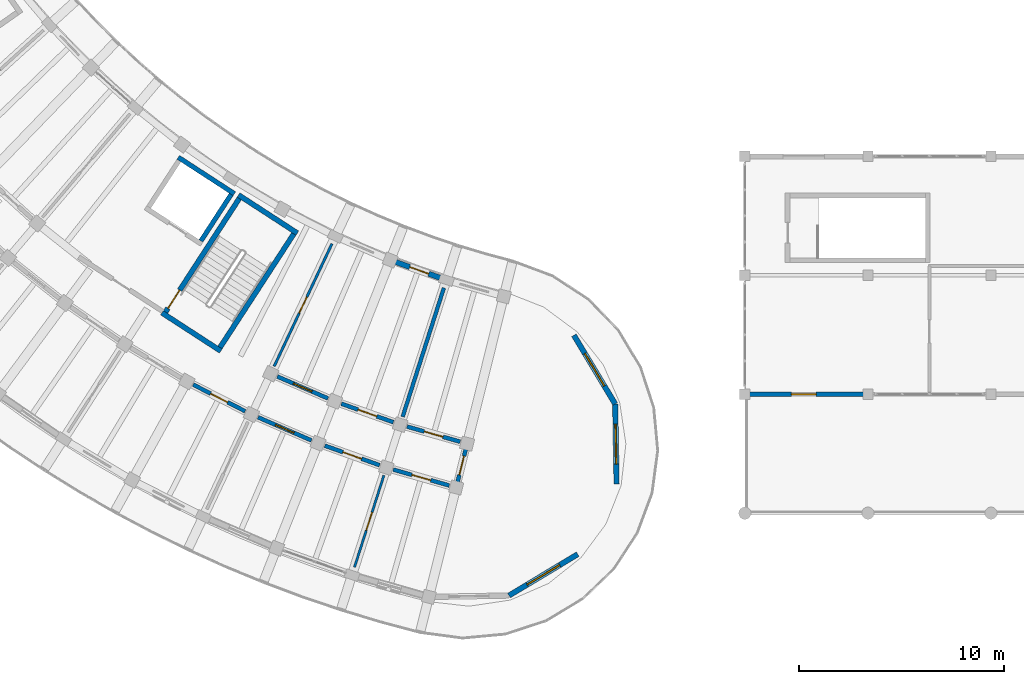
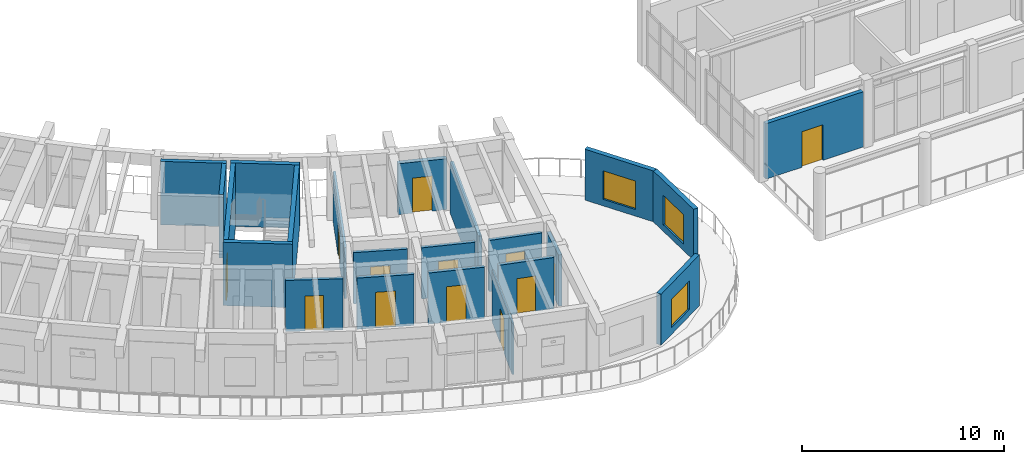
# One storey, part 82 of 128: 22 walls, 13 doors, 3 windows, 16 openings.
"""IFC4 building model written with IfcOpenShell, lengths in metres."""

from ifc_helpers import new_model, si_unit, direction, frame, frame_2d, origin, place, context, subcontext, project, spatial, rectangle, extrude, material, layer, layer_set, type_object, element, fill, save


model = new_model("IFC4")

# Units and contexts
model_context = context("Model", 3, precision=1e-05, world=origin(), true_north=direction((0.0, 1.0)))
body_context = subcontext(model_context, "Body", "Model", "MODEL_VIEW")
ifc_project = project(units=[si_unit("LENGTHUNIT", "METRE"), si_unit("AREAUNIT", "SQUARE_METRE"), si_unit("VOLUMEUNIT", "CUBIC_METRE"), si_unit("PLANEANGLEUNIT", "RADIAN"), si_unit("MASSUNIT", "GRAM", prefix="KILO")], contexts=[model_context])

# Site, building, storey
site_placement = place(None, origin())
site = spatial("IfcSite", under=ifc_project, at=site_placement, CompositionType="ELEMENT")
building_placement = place(site_placement, origin())
building = spatial("IfcBuilding", under=site, at=building_placement, Name="Tanwirah Colonnade Gardens", CompositionType="ELEMENT")
storey_placement = place(building_placement, frame((0.0, 0.0, 4.760009765625)))
storey = spatial("IfcBuildingStorey", under=building, at=storey_placement, Name="L01", CompositionType="ELEMENT", Elevation=4.760009765625)

# Wall, opening, door
ifc_material_1 = material(Name="Limestone architectural precast concrete C40/50", Category="masonry")
ifc_layer_1 = layer(ifc_material_1, 0.239990234375)
ifc_layer_set_1 = layer_set([ifc_layer_1], Name="Limestone architectural precast concrete C40/50")
wall_type_1 = type_object("IfcWallType", Name="EW-PC240", PredefinedType="SOLIDWALL", material=ifc_layer_set_1)
wall_1_placement = place(storey_placement, frame((66.219970703125, 16.60009765625, 0.0), z_axis=(0.0, 0.0, 1.0), x_axis=(1.0, 0.0, 0.0)))
wall_1 = element("IfcWall", 1, at=wall_1_placement, inside=storey, type_object=wall_type_1, Name="Boulevard Shops W L01 S Wall 0", PredefinedType="SOLIDWALL", context=body_context, shape_type="SweptSolid", body=[
    extrude(rectangle(XDim=5.56005859375, YDim=0.239990234375, at=frame_2d((2.780029296875, 0.0))), origin(), (0.0, 0.0, 1.0), 3.340087890625),
])
opening_1_placement = place(wall_1_placement, frame((2.050048828125, 0.0, 0.0)))
opening_1 = element("IfcOpeningElement", 2, at=opening_1_placement, cuts=wall_1, Name="Opening L01-ED226", PredefinedType="OPENING", context=body_context, shape_type="SweptSolid", body=[
    extrude(rectangle(XDim=1.199951171875, YDim=2.14990234375, at=frame_2d((0.60009765625, 1.074951171875))), frame((0.0, 0.1298828125, 0.0), z_axis=(0.0, -1.0, 0.0), x_axis=(1.0, 0.0, 0.0)), (0.0, 0.0, 1.0), 0.260009765625),
])
ifc_material_2 = material(Name="Bronze aluminium glazed terrace door", Category="aluminium")
door_type_1 = type_object("IfcDoorType", Name="ED-TER120", OperationType="NOTDEFINED", PredefinedType="DOOR", material=ifc_material_2)
door_1_placement = place(opening_1_placement, origin())
door_1 = element("IfcDoor", 3, at=door_1_placement, inside=storey, type_object=door_type_1, Name="Boulevard Shop Terrace Door L01-ED226", OperationType="SINGLE_SWING_LEFT", OverallHeight=2.14990234375, OverallWidth=1.199951171875, PredefinedType="DOOR", context=body_context, shape_type="SweptSolid", body=[
    extrude(rectangle(XDim=1.199951171875, YDim=2.14990234375, at=frame_2d((0.60009765625, 1.074951171875))), frame((0.0, 0.02490234375, 0.0), z_axis=(0.0, -1.0, 0.0), x_axis=(1.0, 0.0, 0.0)), (0.0, 0.0, 1.0), 0.050048828125),
])
fill(opening_1, door_1)

ifc_layer_2 = layer(ifc_material_1, 0.260009765625)
ifc_layer_set_2 = layer_set([ifc_layer_2], Name="Limestone architectural precast concrete C40/50")
wall_type_2 = type_object("IfcWallType", Name="EW-PC260", PredefinedType="SOLIDWALL", material=ifc_layer_set_2)
wall_2_placement = place(storey_placement, frame((48.968017578125, 23.050537109375, 0.0), z_axis=(0.0, 0.0, 1.0), x_axis=(0.941897456242, -0.335900553623, 0.0)))
wall_2 = element("IfcWall", 4, at=wall_2_placement, inside=storey, type_object=wall_type_2, Name="Block C L01 IN Precast Facade Wall 14", PredefinedType="SOLIDWALL", context=body_context, shape_type="SweptSolid", body=[
    extrude(rectangle(XDim=2.44873046875, YDim=0.260009765625, at=frame_2d((1.224365234375, 0.0))), origin(), (0.0, 0.0, 1.0), 3.074951171875),
])
opening_2_placement = place(wall_2_placement, frame((0.734375, 0.0, 0.0)))
opening_2 = element("IfcOpeningElement", 5, at=opening_2_placement, cuts=wall_2, Name="Opening L01-ED131", PredefinedType="OPENING", context=body_context, shape_type="SweptSolid", body=[
    extrude(rectangle(XDim=0.97998046875, YDim=2.1201171875, at=frame_2d((0.489990234375, 1.06005859375))), frame((0.0, 0.139892578125, 0.0), z_axis=(0.0, -1.0, 0.0), x_axis=(1.0, 0.0, 0.0)), (0.0, 0.0, 1.0), 0.280029296875),
])
ifc_material_3 = material(Name="Bronze aluminium glazed balcony door", Category="aluminium")
door_type_2 = type_object("IfcDoorType", Name="ED-BAL098", OperationType="NOTDEFINED", PredefinedType="DOOR", material=ifc_material_3)
door_2_placement = place(opening_2_placement, origin())
door_2 = element("IfcDoor", 6, at=door_2_placement, inside=storey, type_object=door_type_2, Name="Balcony glazed door L01-ED131", OperationType="SINGLE_SWING_RIGHT", OverallHeight=2.1201171875, OverallWidth=0.97998046875, PredefinedType="DOOR", context=body_context, shape_type="SweptSolid", body=[
    extrude(rectangle(XDim=0.97998046875, YDim=2.1201171875, at=frame_2d((0.489990234375, 1.06005859375))), frame((0.0, 0.02490234375, 0.0), z_axis=(0.0, -1.0, 0.0), x_axis=(1.0, 0.0, 0.0)), (0.0, 0.0, 1.0), 0.050048828125),
])
fill(opening_2, door_2)

# Wall, opening, window
wall_3_placement = place(storey_placement, frame((57.664794921875, 19.4755859375, 0.0), z_axis=(0.0, 0.0, 1.0), x_axis=(0.515019321998, -0.857178568309, 0.0)))
wall_3 = element("IfcWall", 7, at=wall_3_placement, inside=storey, type_object=wall_type_2, Name="Block C L01 END Rounded End Wall 1", PredefinedType="SOLIDWALL", context=body_context, shape_type="SweptSolid", body=[
    extrude(rectangle(XDim=3.907958984375, YDim=0.260009765625, at=frame_2d((1.9541015625, 0.0))), origin(), (0.0, 0.0, 1.0), 3.074951171875),
])
opening_3_placement = place(wall_3_placement, frame((1.029052734375, 0.0, 0.39990234375)))
opening_3 = element("IfcOpeningElement", 8, at=opening_3_placement, cuts=wall_3, Name="Opening WIN-END1", PredefinedType="OPENING", context=body_context, shape_type="SweptSolid", body=[
    extrude(rectangle(XDim=1.85009765625, YDim=1.719970703125, at=frame_2d((0.925048828125, 0.85986328125))), frame((0.0, 0.139892578125, 0.0), z_axis=(0.0, -1.0, 0.0), x_axis=(1.0, 0.0, 0.0)), (0.0, 0.0, 1.0), 0.280029296875),
])
ifc_material_4 = material(Name="Thermally broken bronze aluminium and solar low-E double glazing", Category="aluminium")
window_type_1 = type_object("IfcWindowType", Name="WIN-END1", PartitioningType="TRIPLE_PANEL_VERTICAL", PredefinedType="WINDOW", material=ifc_material_4)
window_1_placement = place(opening_3_placement, origin())
window_1 = element("IfcWindow", 9, at=window_1_placement, inside=storey, type_object=window_type_1, Name="Rounded corner window C-L01-END-1", OverallHeight=1.719970703125, OverallWidth=1.85009765625, PartitioningType="SINGLE_PANEL", PredefinedType="WINDOW", context=body_context, shape_type="SweptSolid", body=[
    extrude(rectangle(XDim=1.85009765625, YDim=1.719970703125, at=frame_2d((0.925048828125, 0.85986328125))), frame((0.0, 0.030029296875, 0.0), z_axis=(0.0, -1.0, 0.0), x_axis=(1.0, 0.0, 0.0)), (0.0, 0.0, 1.0), 0.06005859375),
])
fill(opening_3, window_1)

wall_4_placement = place(storey_placement, frame((59.677490234375, 16.125732421875, 0.0), z_axis=(0.0, 0.0, 1.0), x_axis=(0.017490763899, -0.999847024888, 0.0)))
wall_4 = element("IfcWall", 10, at=wall_4_placement, inside=storey, type_object=wall_type_2, Name="Block C L01 END Rounded End Wall 2", PredefinedType="SOLIDWALL", context=body_context, shape_type="SweptSolid", body=[
    extrude(rectangle(XDim=3.908203125, YDim=0.260009765625, at=frame_2d((1.9541015625, 0.0))), origin(), (0.0, 0.0, 1.0), 3.074951171875),
])
opening_4_placement = place(wall_4_placement, frame((0.97900390625, 0.0, 0.39990234375)))
opening_4 = element("IfcOpeningElement", 11, at=opening_4_placement, cuts=wall_4, Name="Opening WIN-END2", PredefinedType="OPENING", context=body_context, shape_type="SweptSolid", body=[
    extrude(rectangle(XDim=1.949951171875, YDim=1.780029296875, at=frame_2d((0.97509765625, 0.89013671875))), frame((0.0, 0.139892578125, 0.0), z_axis=(0.0, -1.0, 0.0), x_axis=(1.0, 0.0, 0.0)), (0.0, 0.0, 1.0), 0.280029296875),
])
window_type_2 = type_object("IfcWindowType", Name="WIN-END2", PartitioningType="TRIPLE_PANEL_VERTICAL", PredefinedType="WINDOW", material=ifc_material_4)
window_2_placement = place(opening_4_placement, origin())
window_2 = element("IfcWindow", 12, at=window_2_placement, inside=storey, type_object=window_type_2, Name="Rounded corner window C-L01-END-2", OverallHeight=1.780029296875, OverallWidth=1.949951171875, PartitioningType="SINGLE_PANEL", PredefinedType="WINDOW", context=body_context, shape_type="SweptSolid", body=[
    extrude(rectangle(XDim=1.949951171875, YDim=1.780029296875, at=frame_2d((0.97509765625, 0.89013671875))), frame((0.0, 0.030029296875, 0.0), z_axis=(0.0, -1.0, 0.0), x_axis=(1.0, 0.0, 0.0)), (0.0, 0.0, 1.0), 0.06005859375),
])
fill(opening_4, window_2)

wall_5_placement = place(storey_placement, frame((57.85107421875, 8.800048828125, 0.0), z_axis=(0.0, 0.0, 1.0), x_axis=(-0.85715098885, -0.515065221417, 0.0)))
wall_5 = element("IfcWall", 13, at=wall_5_placement, inside=storey, type_object=wall_type_2, Name="Block C L01 END Rounded End Wall 4", PredefinedType="SOLIDWALL", context=body_context, shape_type="SweptSolid", body=[
    extrude(rectangle(XDim=3.908203125, YDim=0.260009765625, at=frame_2d((1.9541015625, 0.0))), origin(), (0.0, 0.0, 1.0), 3.074951171875),
])
opening_5_placement = place(wall_5_placement, frame((1.029052734375, 0.0, 0.39990234375)))
opening_5 = element("IfcOpeningElement", 14, at=opening_5_placement, cuts=wall_5, Name="Opening WIN-END1", PredefinedType="OPENING", context=body_context, shape_type="SweptSolid", body=[
    extrude(rectangle(XDim=1.85009765625, YDim=1.719970703125, at=frame_2d((0.925048828125, 0.85986328125))), frame((0.0, 0.139892578125, 0.0), z_axis=(0.0, -1.0, 0.0), x_axis=(1.0, 0.0, 0.0)), (0.0, 0.0, 1.0), 0.280029296875),
])
window_3_placement = place(opening_5_placement, origin())
window_3 = element("IfcWindow", 15, at=window_3_placement, inside=storey, type_object=window_type_1, Name="Rounded corner window C-L01-END-4", OverallHeight=1.719970703125, OverallWidth=1.85009765625, PartitioningType="SINGLE_PANEL", PredefinedType="WINDOW", context=body_context, shape_type="SweptSolid", body=[
    extrude(rectangle(XDim=1.85009765625, YDim=1.719970703125, at=frame_2d((0.925048828125, 0.85986328125))), frame((0.0, 0.030029296875, 0.0), z_axis=(0.0, -1.0, 0.0), x_axis=(1.0, 0.0, 0.0)), (0.0, 0.0, 1.0), 0.06005859375),
])
fill(opening_5, window_3)

# Wall, opening, door
ifc_material_5 = material(Name="Precast concrete C40/50", Category="concrete")
ifc_layer_3 = layer(ifc_material_5, 0.195068359375)
ifc_layer_set_3 = layer_set([ifc_layer_3], Name="Precast concrete C40/50")
wall_type_3 = type_object("IfcWallType", Name="IW-CORR195", PredefinedType="PARTITIONING", material=ifc_layer_set_3)
wall_6_placement = place(storey_placement, frame((39.107421875, 17.067138671875, 0.0), z_axis=(0.0, 0.0, 1.0), x_axis=(0.890030590607, -0.45590080915, 0.0)))
wall_6 = element("IfcWall", 16, at=wall_6_placement, inside=storey, type_object=wall_type_3, Name="Block C L01 OUT Corridor Wall 12", PredefinedType="PARTITIONING", context=body_context, shape_type="SweptSolid", body=[
    extrude(rectangle(XDim=2.837158203125, YDim=0.195068359375, at=frame_2d((1.41845703125, 0.0))), origin(), (0.0, 0.0, 1.0), 3.090087890625),
])
opening_6_placement = place(wall_6_placement, frame((0.95361328125, 0.0, 0.0)))
opening_6 = element("IfcOpeningElement", 17, at=opening_6_placement, cuts=wall_6, Name="Opening L01-AD1341", PredefinedType="OPENING", context=body_context, shape_type="SweptSolid", body=[
    extrude(rectangle(XDim=0.929931640625, YDim=2.1201171875, at=frame_2d((0.46484375, 1.06005859375))), frame((0.0, 0.107421875, 0.0), z_axis=(0.0, -1.0, 0.0), x_axis=(1.0, 0.0, 0.0)), (0.0, 0.0, 1.0), 0.215087890625),
])
ifc_material_6 = material(Name="Solid oak fire-resisting apartment entrance door")
door_type_3 = type_object("IfcDoorType", Name="ID-FLT093", OperationType="NOTDEFINED", PredefinedType="DOOR", material=ifc_material_6)
door_3_placement = place(opening_6_placement, origin())
door_3 = element("IfcDoor", 18, at=door_3_placement, inside=storey, type_object=door_type_3, Name="Apartment corridor door L01-AD1341", OperationType="SINGLE_SWING_RIGHT", OverallHeight=2.1201171875, OverallWidth=0.929931640625, PredefinedType="DOOR", context=body_context, shape_type="SweptSolid", body=[
    extrude(rectangle(XDim=0.929931640625, YDim=2.1201171875, at=frame_2d((0.46484375, 1.06005859375))), frame((0.0, 0.02490234375, 0.0), z_axis=(0.0, -1.0, 0.0), x_axis=(1.0, 0.0, 0.0)), (0.0, 0.0, 1.0), 0.050048828125),
])
fill(opening_6, door_3)

wall_7_placement = place(storey_placement, frame((42.26513671875, 15.475341796875, 0.0), z_axis=(0.0, 0.0, 1.0), x_axis=(0.917943439406, -0.396711282991, 0.0)))
wall_7 = element("IfcWall", 19, at=wall_7_placement, inside=storey, type_object=wall_type_3, Name="Block C L01 OUT Corridor Wall 13", PredefinedType="PARTITIONING", context=body_context, shape_type="SweptSolid", body=[
    extrude(rectangle(XDim=2.837158203125, YDim=0.195068359375, at=frame_2d((1.41845703125, 0.0))), origin(), (0.0, 0.0, 1.0), 3.090087890625),
])
opening_7_placement = place(wall_7_placement, frame((0.923583984375, 0.0, 0.0)))
opening_7 = element("IfcOpeningElement", 20, at=opening_7_placement, cuts=wall_7, Name="Opening L01-AD1344", PredefinedType="OPENING", context=body_context, shape_type="SweptSolid", body=[
    extrude(rectangle(XDim=0.989990234375, YDim=2.159912109375, at=frame_2d((0.4951171875, 1.080078125))), frame((0.0, 0.107421875, 0.0), z_axis=(0.0, -1.0, 0.0), x_axis=(1.0, 0.0, 0.0)), (0.0, 0.0, 1.0), 0.215087890625),
])
door_type_4 = type_object("IfcDoorType", Name="ID-FLT099", OperationType="NOTDEFINED", PredefinedType="DOOR", material=ifc_material_6)
door_4_placement = place(opening_7_placement, origin())
door_4 = element("IfcDoor", 21, at=door_4_placement, inside=storey, type_object=door_type_4, Name="Apartment corridor door L01-AD1344", OperationType="SINGLE_SWING_LEFT", OverallHeight=2.159912109375, OverallWidth=0.989990234375, PredefinedType="DOOR", context=body_context, shape_type="SweptSolid", body=[
    extrude(rectangle(XDim=0.989990234375, YDim=2.159912109375, at=frame_2d((0.4951171875, 1.080078125))), frame((0.0, 0.02490234375, 0.0), z_axis=(0.0, -1.0, 0.0), x_axis=(1.0, 0.0, 0.0)), (0.0, 0.0, 1.0), 0.050048828125),
])
fill(opening_7, door_4)

wall_8_placement = place(storey_placement, frame((43.20361328125, 17.465087890625, 0.0), z_axis=(0.0, 0.0, 1.0), x_axis=(0.91793557165, -0.39672948756, 0.0)))
wall_8 = element("IfcWall", 22, at=wall_8_placement, inside=storey, type_object=wall_type_3, Name="Block C L01 IN Corridor Wall 13", PredefinedType="PARTITIONING", context=body_context, shape_type="SweptSolid", body=[
    extrude(rectangle(XDim=2.69287109375, YDim=0.195068359375, at=frame_2d((1.346435546875, 0.0))), origin(), (0.0, 0.0, 1.0), 3.090087890625),
])
opening_8_placement = place(wall_8_placement, frame((0.8515625, 0.0, 0.0)))
opening_8 = element("IfcOpeningElement", 23, at=opening_8_placement, cuts=wall_8, Name="Opening L01-AD1345", PredefinedType="OPENING", context=body_context, shape_type="SweptSolid", body=[
    extrude(rectangle(XDim=0.989990234375, YDim=2.159912109375, at=frame_2d((0.4951171875, 1.080078125))), frame((0.0, 0.107421875, 0.0), z_axis=(0.0, -1.0, 0.0), x_axis=(1.0, 0.0, 0.0)), (0.0, 0.0, 1.0), 0.215087890625),
])
door_5_placement = place(opening_8_placement, origin())
door_5 = element("IfcDoor", 24, at=door_5_placement, inside=storey, type_object=door_type_4, Name="Apartment corridor door L01-AD1345", OperationType="SINGLE_SWING_RIGHT", OverallHeight=2.159912109375, OverallWidth=0.989990234375, PredefinedType="DOOR", context=body_context, shape_type="SweptSolid", body=[
    extrude(rectangle(XDim=0.989990234375, YDim=2.159912109375, at=frame_2d((0.4951171875, 1.080078125))), frame((0.0, 0.02490234375, 0.0), z_axis=(0.0, -1.0, 0.0), x_axis=(1.0, 0.0, 0.0)), (0.0, 0.0, 1.0), 0.050048828125),
])
fill(opening_8, door_5)

wall_9_placement = place(storey_placement, frame((45.520263671875, 14.09326171875, 0.0), z_axis=(0.0, 0.0, 1.0), x_axis=(0.941930628611, -0.335807520589, 0.0)))
wall_9 = element("IfcWall", 25, at=wall_9_placement, inside=storey, type_object=wall_type_3, Name="Block C L01 OUT Corridor Wall 14", PredefinedType="PARTITIONING", context=body_context, shape_type="SweptSolid", body=[
    extrude(rectangle(XDim=2.8369140625, YDim=0.195068359375, at=frame_2d((1.41845703125, 0.0))), origin(), (0.0, 0.0, 1.0), 3.090087890625),
])
opening_9_placement = place(wall_9_placement, frame((0.93359375, 0.0, 0.0)))
opening_9 = element("IfcOpeningElement", 26, at=opening_9_placement, cuts=wall_9, Name="Opening L01-AD1346", PredefinedType="OPENING", context=body_context, shape_type="SweptSolid", body=[
    extrude(rectangle(XDim=0.969970703125, YDim=2.14990234375, at=frame_2d((0.48486328125, 1.074951171875))), frame((0.0, 0.107421875, 0.0), z_axis=(0.0, -1.0, 0.0), x_axis=(1.0, 0.0, 0.0)), (0.0, 0.0, 1.0), 0.215087890625),
])
door_type_5 = type_object("IfcDoorType", Name="ID-FLT097", OperationType="NOTDEFINED", PredefinedType="DOOR", material=ifc_material_6)
door_6_placement = place(opening_9_placement, origin())
door_6 = element("IfcDoor", 27, at=door_6_placement, inside=storey, type_object=door_type_5, Name="Apartment corridor door L01-AD1346", OperationType="SINGLE_SWING_RIGHT", OverallHeight=2.14990234375, OverallWidth=0.969970703125, PredefinedType="DOOR", context=body_context, shape_type="SweptSolid", body=[
    extrude(rectangle(XDim=0.969970703125, YDim=2.14990234375, at=frame_2d((0.48486328125, 1.074951171875))), frame((0.0, 0.02490234375, 0.0), z_axis=(0.0, -1.0, 0.0), x_axis=(1.0, 0.0, 0.0)), (0.0, 0.0, 1.0), 0.050048828125),
])
fill(opening_9, door_6)

wall_10_placement = place(storey_placement, frame((46.32666015625, 16.140380859375, 0.0), z_axis=(0.0, 0.0, 1.0), x_axis=(0.941895652647, -0.335905611036, 0.0)))
wall_10 = element("IfcWall", 28, at=wall_10_placement, inside=storey, type_object=wall_type_3, Name="Block C L01 IN Corridor Wall 14", PredefinedType="PARTITIONING", context=body_context, shape_type="SweptSolid", body=[
    extrude(rectangle(XDim=2.69287109375, YDim=0.195068359375, at=frame_2d((1.346435546875, 0.0))), origin(), (0.0, 0.0, 1.0), 3.090087890625),
])
opening_10_placement = place(wall_10_placement, frame((0.861572265625, 0.0, 0.0)))
opening_10 = element("IfcOpeningElement", 29, at=opening_10_placement, cuts=wall_10, Name="Opening L01-AD1347", PredefinedType="OPENING", context=body_context, shape_type="SweptSolid", body=[
    extrude(rectangle(XDim=0.969970703125, YDim=2.14990234375, at=frame_2d((0.48486328125, 1.074951171875))), frame((0.0, 0.107421875, 0.0), z_axis=(0.0, -1.0, 0.0), x_axis=(1.0, 0.0, 0.0)), (0.0, 0.0, 1.0), 0.215087890625),
])
door_7_placement = place(opening_10_placement, origin())
door_7 = element("IfcDoor", 30, at=door_7_placement, inside=storey, type_object=door_type_5, Name="Apartment corridor door L01-AD1347", OperationType="SINGLE_SWING_LEFT", OverallHeight=2.14990234375, OverallWidth=0.969970703125, PredefinedType="DOOR", context=body_context, shape_type="SweptSolid", body=[
    extrude(rectangle(XDim=0.969970703125, YDim=2.14990234375, at=frame_2d((0.48486328125, 1.074951171875))), frame((0.0, 0.02490234375, 0.0), z_axis=(0.0, -1.0, 0.0), x_axis=(1.0, 0.0, 0.0)), (0.0, 0.0, 1.0), 0.050048828125),
])
fill(opening_10, door_7)

wall_11_placement = place(storey_placement, frame((48.858642578125, 12.92724609375, 0.0), z_axis=(0.0, 0.0, 1.0), x_axis=(0.961873892319, -0.273493355085, 0.0)))
wall_11 = element("IfcWall", 31, at=wall_11_placement, inside=storey, type_object=wall_type_3, Name="Block C L01 OUT Corridor Wall 15", PredefinedType="PARTITIONING", context=body_context, shape_type="SweptSolid", body=[
    extrude(rectangle(XDim=2.8369140625, YDim=0.195068359375, at=frame_2d((1.41845703125, 0.0))), origin(), (0.0, 0.0, 1.0), 3.090087890625),
])
opening_11_placement = place(wall_11_placement, frame((0.943603515625, 0.0, 0.0)))
opening_11 = element("IfcOpeningElement", 32, at=opening_11_placement, cuts=wall_11, Name="Opening L01-AD1349", PredefinedType="OPENING", context=body_context, shape_type="SweptSolid", body=[
    extrude(rectangle(XDim=0.949951171875, YDim=2.1298828125, at=frame_2d((0.47509765625, 1.06494140625))), frame((0.0, 0.107421875, 0.0), z_axis=(0.0, -1.0, 0.0), x_axis=(1.0, 0.0, 0.0)), (0.0, 0.0, 1.0), 0.215087890625),
])
door_type_6 = type_object("IfcDoorType", Name="ID-FLT095", OperationType="NOTDEFINED", PredefinedType="DOOR", material=ifc_material_6)
door_8_placement = place(opening_11_placement, origin())
door_8 = element("IfcDoor", 33, at=door_8_placement, inside=storey, type_object=door_type_6, Name="Apartment corridor door L01-AD1349", OperationType="SINGLE_SWING_LEFT", OverallHeight=2.1298828125, OverallWidth=0.949951171875, PredefinedType="DOOR", context=body_context, shape_type="SweptSolid", body=[
    extrude(rectangle(XDim=0.949951171875, YDim=2.1298828125, at=frame_2d((0.47509765625, 1.06494140625))), frame((0.0, 0.02490234375, 0.0), z_axis=(0.0, -1.0, 0.0), x_axis=(1.0, 0.0, 0.0)), (0.0, 0.0, 1.0), 0.050048828125),
])
fill(opening_11, door_8)

wall_12_placement = place(storey_placement, frame((49.529541015625, 15.0224609375, 0.0), z_axis=(0.0, 0.0, 1.0), x_axis=(0.961861926514, -0.273535435224, 0.0)))
wall_12 = element("IfcWall", 34, at=wall_12_placement, inside=storey, type_object=wall_type_3, Name="Block C L01 IN Corridor Wall 15", PredefinedType="PARTITIONING", context=body_context, shape_type="SweptSolid", body=[
    extrude(rectangle(XDim=2.69287109375, YDim=0.195068359375, at=frame_2d((1.346435546875, 0.0))), origin(), (0.0, 0.0, 1.0), 3.090087890625),
])
opening_12_placement = place(wall_12_placement, frame((0.87158203125, 0.0, 0.0)))
opening_12 = element("IfcOpeningElement", 35, at=opening_12_placement, cuts=wall_12, Name="Opening L01-AD1350", PredefinedType="OPENING", context=body_context, shape_type="SweptSolid", body=[
    extrude(rectangle(XDim=0.949951171875, YDim=2.1298828125, at=frame_2d((0.47509765625, 1.06494140625))), frame((0.0, 0.107421875, 0.0), z_axis=(0.0, -1.0, 0.0), x_axis=(1.0, 0.0, 0.0)), (0.0, 0.0, 1.0), 0.215087890625),
])
door_9_placement = place(opening_12_placement, origin())
door_9 = element("IfcDoor", 36, at=door_9_placement, inside=storey, type_object=door_type_6, Name="Apartment corridor door L01-AD1350", OperationType="SINGLE_SWING_RIGHT", OverallHeight=2.1298828125, OverallWidth=0.949951171875, PredefinedType="DOOR", context=body_context, shape_type="SweptSolid", body=[
    extrude(rectangle(XDim=0.949951171875, YDim=2.1298828125, at=frame_2d((0.47509765625, 1.06494140625))), frame((0.0, 0.02490234375, 0.0), z_axis=(0.0, -1.0, 0.0), x_axis=(1.0, 0.0, 0.0)), (0.0, 0.0, 1.0), 0.050048828125),
])
fill(opening_12, door_9)

wall_13_placement = place(storey_placement, frame((52.4443359375, 14.1416015625, 0.0), z_axis=(0.0, 0.0, 1.0), x_axis=(-0.241933770084, -0.970292765557, 0.0)))
wall_13 = element("IfcWall", 37, at=wall_13_placement, inside=storey, type_object=wall_type_3, Name="Block C L01 CE Corner Suite Corridor Wall", PredefinedType="PARTITIONING", context=body_context, shape_type="SweptSolid", body=[
    extrude(rectangle(XDim=2.10009765625, YDim=0.195068359375, at=frame_2d((1.050048828125, 0.0))), origin(), (0.0, 0.0, 1.0), 3.090087890625),
])
opening_13_placement = place(wall_13_placement, frame((0.570068359375, 0.0, 0.0)))
opening_13 = element("IfcOpeningElement", 38, at=opening_13_placement, cuts=wall_13, Name="Opening L01-CD1352", PredefinedType="OPENING", context=body_context, shape_type="SweptSolid", body=[
    extrude(rectangle(XDim=0.949951171875, YDim=2.1298828125, at=frame_2d((0.47509765625, 1.06494140625))), frame((0.0, 0.107421875, 0.0), z_axis=(0.0, -1.0, 0.0), x_axis=(1.0, 0.0, 0.0)), (0.0, 0.0, 1.0), 0.215087890625),
])
door_10_placement = place(opening_13_placement, origin())
door_10 = element("IfcDoor", 39, at=door_10_placement, inside=storey, type_object=door_type_6, Name="Corner suite entrance door L01-CD1352", OperationType="SINGLE_SWING_RIGHT", OverallHeight=2.1298828125, OverallWidth=0.949951171875, PredefinedType="DOOR", context=body_context, shape_type="SweptSolid", body=[
    extrude(rectangle(XDim=0.949951171875, YDim=2.1298828125, at=frame_2d((0.47509765625, 1.06494140625))), frame((0.0, 0.02490234375, 0.0), z_axis=(0.0, -1.0, 0.0), x_axis=(1.0, 0.0, 0.0)), (0.0, 0.0, 1.0), 0.050048828125),
])
fill(opening_13, door_10)

# Wall
ifc_layer_4 = layer(ifc_material_5, 0.18505859375)
ifc_layer_set_4 = layer_set([ifc_layer_4], Name="Precast concrete C40/50")
wall_type_4 = type_object("IfcWallType", Name="IW-DEM185", PredefinedType="PARTITIONING", material=ifc_layer_set_4)
wall_14_placement = place(storey_placement, frame((51.326904296875, 21.78515625, 0.0), z_axis=(0.0, 0.0, 1.0), x_axis=(-0.304875046605, -0.95239235925, 0.0)))
element("IfcWall", 40, at=wall_14_placement, inside=storey, type_object=wall_type_4, Name="Block C L01 Inner Radial Partition 14", PredefinedType="PARTITIONING", context=body_context, shape_type="SweptSolid", body=[
    extrude(rectangle(XDim=6.60009765625, YDim=0.18505859375, at=frame_2d((3.300048828125, 0.0))), origin(), (0.0, 0.0, 1.0), 3.090087890625),
])

# Wall, opening, door
ifc_material_7 = material(Name="Acoustic gypsum stud partition")
ifc_layer_5 = layer(ifc_material_7, 0.114990234375)
ifc_layer_set_5 = layer_set([ifc_layer_5], Name="Acoustic gypsum stud partition")
wall_type_5 = type_object("IfcWallType", Name="IW-INT115", PredefinedType="PARTITIONING", material=ifc_layer_set_5)
wall_15_placement = place(storey_placement, frame((48.400146484375, 12.64208984375, 0.0), z_axis=(0.0, 0.0, 1.0), x_axis=(-0.304860540454, -0.952397002764, 0.0)))
wall_15 = element("IfcWall", 41, at=wall_15_placement, inside=storey, type_object=wall_type_5, Name="Block C L01 Radial Partition 14", PredefinedType="PARTITIONING", context=body_context, shape_type="SweptSolid", body=[
    extrude(rectangle(XDim=4.699951171875, YDim=0.114990234375, at=frame_2d((2.35009765625, 0.0))), origin(), (0.0, 0.0, 1.0), 3.090087890625),
])
opening_14_placement = place(wall_15_placement, frame((1.89501953125, 0.0, 0.0)))
opening_14 = element("IfcOpeningElement", 42, at=opening_14_placement, cuts=wall_15, Name="Opening L01-RD1348", PredefinedType="OPENING", context=body_context, shape_type="SweptSolid", body=[
    extrude(rectangle(XDim=0.909912109375, YDim=2.10009765625, at=frame_2d((0.455078125, 1.050048828125))), frame((0.0, 0.0673828125, 0.0), z_axis=(0.0, -1.0, 0.0), x_axis=(1.0, 0.0, 0.0)), (0.0, 0.0, 1.0), 0.135009765625),
])
ifc_material_8 = material(Name="Painted hardwood internal room door", Category="wood")
door_type_7 = type_object("IfcDoorType", Name="ID-RM091", OperationType="NOTDEFINED", PredefinedType="DOOR", material=ifc_material_8)
door_11_placement = place(opening_14_placement, origin())
door_11 = element("IfcDoor", 43, at=door_11_placement, inside=storey, type_object=door_type_7, Name="Internal apartment door L01-RD1348", OperationType="SINGLE_SWING_RIGHT", OverallHeight=2.10009765625, OverallWidth=0.909912109375, PredefinedType="DOOR", context=body_context, shape_type="SweptSolid", body=[
    extrude(rectangle(XDim=0.909912109375, YDim=2.10009765625, at=frame_2d((0.455078125, 1.050048828125))), frame((0.0, 0.02490234375, 0.0), z_axis=(0.0, -1.0, 0.0), x_axis=(1.0, 0.0, 0.0)), (0.0, 0.0, 1.0), 0.050048828125),
])
fill(opening_14, door_11)

ifc_material_9 = material(Name="Moisture-resistant gypsum stud partition")
ifc_layer_6 = layer(ifc_material_9, 0.125)
ifc_layer_set_6 = layer_set([ifc_layer_6], Name="Moisture-resistant gypsum stud partition")
wall_type_6 = type_object("IfcWallType", Name="IW-INT125", PredefinedType="PARTITIONING", material=ifc_layer_set_6)
wall_16_placement = place(storey_placement, frame((45.868408203125, 23.935302734375, 0.0), z_axis=(0.0, 0.0, 1.0), x_axis=(-0.426573573579, -0.904452865728, 0.0)))
wall_16 = element("IfcWall", 44, at=wall_16_placement, inside=storey, type_object=wall_type_6, Name="Block C L01 Inner Radial Partition 12", PredefinedType="PARTITIONING", context=body_context, shape_type="SweptSolid", body=[
    extrude(rectangle(XDim=6.60009765625, YDim=0.125, at=frame_2d((3.300048828125, 0.0))), origin(), (0.0, 0.0, 1.0), 3.090087890625),
])
opening_15_placement = place(wall_16_placement, frame((2.864990234375, 0.0, 0.0)))
opening_15 = element("IfcOpeningElement", 45, at=opening_15_placement, cuts=wall_16, Name="Opening L01-RD1343", PredefinedType="OPENING", context=body_context, shape_type="SweptSolid", body=[
    extrude(rectangle(XDim=0.8701171875, YDim=2.080078125, at=frame_2d((0.43505859375, 1.0400390625))), frame((0.0, 0.072509765625, 0.0), z_axis=(0.0, -1.0, 0.0), x_axis=(1.0, 0.0, 0.0)), (0.0, 0.0, 1.0), 0.14501953125),
])
ifc_material_10 = material(Name="Painted hardwood study door", Category="wood")
door_type_8 = type_object("IfcDoorType", Name="ID-RM087", OperationType="NOTDEFINED", PredefinedType="DOOR", material=ifc_material_10)
door_12_placement = place(opening_15_placement, origin())
door_12 = element("IfcDoor", 46, at=door_12_placement, inside=storey, type_object=door_type_8, Name="Internal apartment door L01-RD1343", OperationType="SINGLE_SWING_LEFT", OverallHeight=2.080078125, OverallWidth=0.8701171875, PredefinedType="DOOR", context=body_context, shape_type="SweptSolid", body=[
    extrude(rectangle(XDim=0.8701171875, YDim=2.080078125, at=frame_2d((0.43505859375, 1.0400390625))), frame((0.0, 0.02490234375, 0.0), z_axis=(0.0, -1.0, 0.0), x_axis=(1.0, 0.0, 0.0)), (0.0, 0.0, 1.0), 0.050048828125),
])
fill(opening_15, door_12)

# Walls
ifc_material_11 = material(Name="Concrete C45/55", Category="concrete")
ifc_layer_7 = layer(ifc_material_11, 0.25)
ifc_layer_set_7 = layer_set([ifc_layer_7], Name="Concrete C45/55")
wall_type_7 = type_object("IfcWallType", Name="SW-CORE250", PredefinedType="SHEAR", material=ifc_layer_set_7)
wall_17_placement = place(storey_placement, frame((40.412841796875, 18.881591796875, 0.0), z_axis=(0.0, 0.0, 1.0), x_axis=(0.544629435258, 0.838676802022, 0.0)))
element("IfcWall", 47, at=wall_17_placement, inside=storey, type_object=wall_type_7, Name="CORE-C2 L01 Stair Shaft Shear Wall LEFT", PredefinedType="SHEAR", context=body_context, shape_type="SweptSolid", body=[
    extrude(rectangle(XDim=6.599853515625, YDim=0.25, at=frame_2d((3.2998046875, 0.0))), origin(), (0.0, 0.0, 1.0), 3.830078125),
])
wall_18_placement = place(storey_placement, frame((44.180419921875, 24.45361328125, 0.0), z_axis=(0.0, 0.0, 1.0), x_axis=(-0.838699580527, 0.544594356953, 0.0)))
element("IfcWall", 48, at=wall_18_placement, inside=storey, type_object=wall_type_7, Name="CORE-C2 L01 Stair Shaft Shear Wall FAR", PredefinedType="SHEAR", context=body_context, shape_type="SweptSolid", body=[
    extrude(rectangle(XDim=3.420166015625, YDim=0.25, at=frame_2d((1.7099609375, 0.0))), origin(), (0.0, 0.0, 1.0), 3.830078125),
])
wall_19_placement = place(storey_placement, frame((40.449462890625, 18.708740234375, 0.0), z_axis=(0.0, 0.0, 1.0), x_axis=(-0.838678407117, 0.544626963559, 0.0)))
element("IfcWall", 49, at=wall_19_placement, inside=storey, type_object=wall_type_7, Name="CORE-C2 L01 Stair Shaft Shear Wall NEAR", PredefinedType="SHEAR", context=body_context, shape_type="SweptSolid", body=[
    extrude(rectangle(XDim=3.419921875, YDim=0.25, at=frame_2d((1.7099609375, 0.0))), origin(), (0.0, 0.0, 1.0), 3.830078125),
])

# Wall, opening, door
wall_20_placement = place(storey_placement, frame((37.754150390625, 20.608154296875, 0.0), z_axis=(0.0, 0.0, 1.0), x_axis=(0.544655453679, 0.838659905312, 0.0)))
wall_20 = element("IfcWall", 50, at=wall_20_placement, inside=storey, type_object=wall_type_7, Name="CORE-C2 L01 Stair Shaft Shear Wall RIGHT", PredefinedType="SHEAR", context=body_context, shape_type="SweptSolid", body=[
    extrude(rectangle(XDim=6.60009765625, YDim=0.25, at=frame_2d((3.300048828125, 0.0))), origin(), (0.0, 0.0, 1.0), 3.830078125),
])
opening_16_placement = place(wall_20_placement, frame((0.219970703125, 0.0, 0.0)))
opening_16 = element("IfcOpeningElement", 51, at=opening_16_placement, cuts=wall_20, Name="Opening L01-SD147", PredefinedType="OPENING", context=body_context, shape_type="SweptSolid", body=[
    extrude(rectangle(XDim=1.050048828125, YDim=2.14990234375, at=frame_2d((0.52490234375, 1.074951171875))), frame((0.0, 0.135009765625, 0.0), z_axis=(0.0, -1.0, 0.0), x_axis=(1.0, 0.0, 0.0)), (0.0, 0.0, 1.0), 0.27001953125),
])
ifc_material_12 = material(Name="Steel fire-resisting stair enclosure door", Category="steel")
door_type_9 = type_object("IfcDoorType", Name="ID-ST105", OperationType="NOTDEFINED", PredefinedType="DOOR", material=ifc_material_12)
door_13_placement = place(opening_16_placement, origin())
door_13 = element("IfcDoor", 52, at=door_13_placement, inside=storey, type_object=door_type_9, Name="CORE-C2 L01 Stair Fire Door L01-SD147", OperationType="SINGLE_SWING_RIGHT", OverallHeight=2.14990234375, OverallWidth=1.050048828125, PredefinedType="DOOR", context=body_context, shape_type="SweptSolid", body=[
    extrude(rectangle(XDim=1.050048828125, YDim=2.14990234375, at=frame_2d((0.52490234375, 1.074951171875))), frame((0.0, 0.02490234375, 0.0), z_axis=(0.0, -1.0, 0.0), x_axis=(1.0, 0.0, 0.0)), (0.0, 0.0, 1.0), 0.050048828125),
])
fill(opening_16, door_13)

# Walls
ifc_layer_8 = layer(ifc_material_11, 0.22998046875)
ifc_layer_set_8 = layer_set([ifc_layer_8], Name="Concrete C45/55")
wall_type_8 = type_object("IfcWallType", Name="SW-LIFT230", PredefinedType="SHEAR", material=ifc_layer_set_8)
wall_21_placement = place(storey_placement, frame((41.111572265625, 26.374755859375, 0.0), z_axis=(0.0, 0.0, 1.0), x_axis=(-0.838638623546, 0.544688221919, 0.0)))
element("IfcWall", 53, at=wall_21_placement, inside=storey, type_object=wall_type_8, Name="CORE-C2 L01 Lift Shaft Wall BACK", PredefinedType="SHEAR", context=body_context, shape_type="SweptSolid", body=[
    extrude(rectangle(XDim=3.260009765625, YDim=0.22998046875, at=frame_2d((1.6298828125, 0.0))), origin(), (0.0, 0.0, 1.0), 3.830078125),
])
wall_22_placement = place(storey_placement, frame((39.48193359375, 24.07666015625, 0.0), z_axis=(0.0, 0.0, 1.0), x_axis=(0.544686387605, 0.838639814913, 0.0)))
element("IfcWall", 54, at=wall_22_placement, inside=storey, type_object=wall_type_8, Name="CORE-C2 L01 Lift Shaft Wall SIDEA", PredefinedType="SHEAR", context=body_context, shape_type="SweptSolid", body=[
    extrude(rectangle(XDim=2.7001953125, YDim=0.22998046875, at=frame_2d((1.35009765625, 0.0))), origin(), (0.0, 0.0, 1.0), 3.830078125),
])

save(model, "model.ifc")
